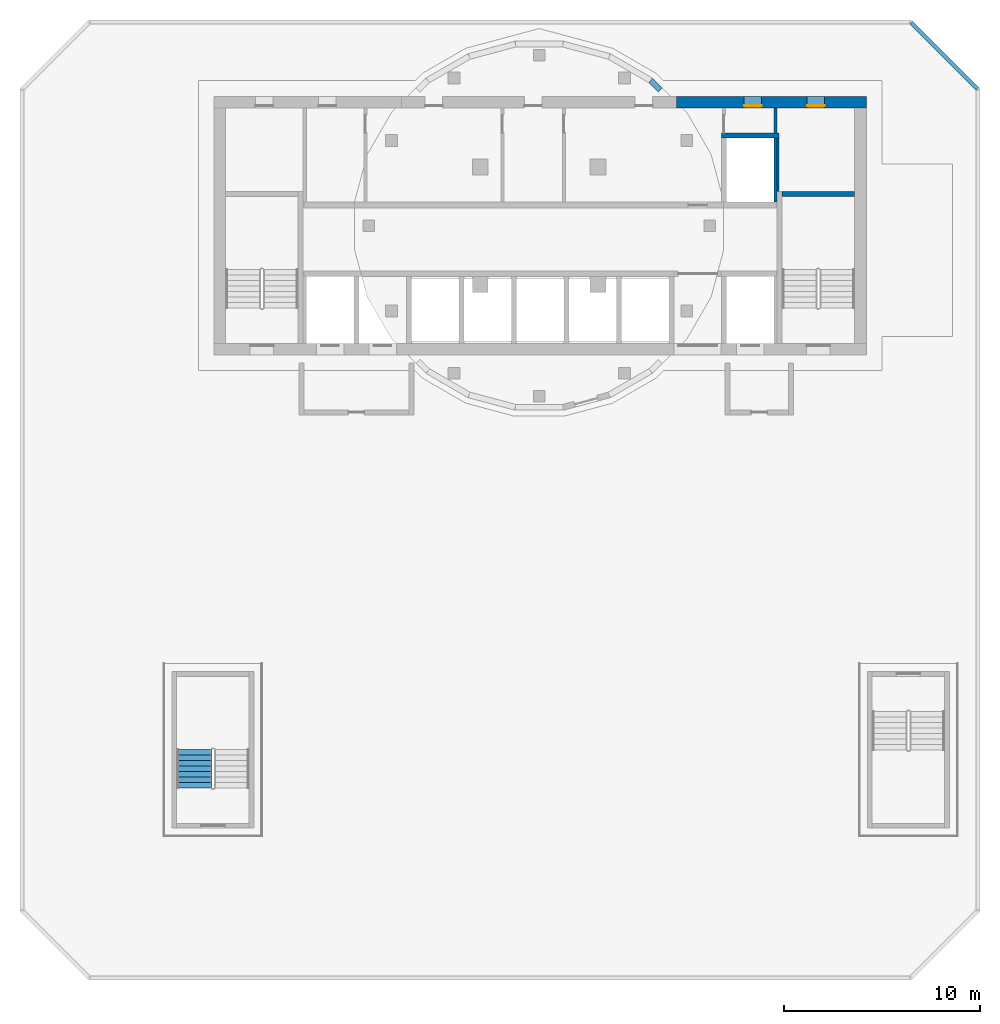
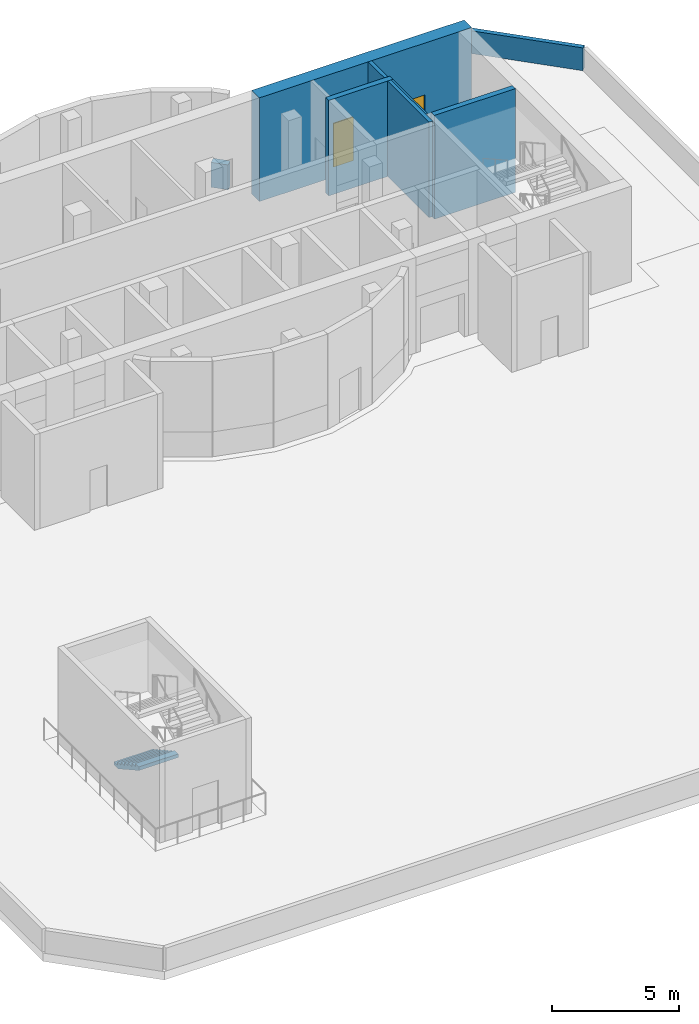
# One storey, part 4 of 7: 8 walls, 2 doors, 1 stair flight, 2 openings, 1 element without a shape of its own.
"""IFC4 building model written with IfcOpenShell, lengths in metres."""

from ifc_helpers import new_model, si_unit, direction, frame, frame_2d, origin, place, context, subcontext, project, spatial, rectangle, extrude, triangles, source, transform, mapped, material, layer, layer_set, type_object, element, fill, aggregate, save


model = new_model("IFC4")

# Units and contexts
model_context = context("Model", 3, precision=1e-05, world=origin(), true_north=direction((0.0, 1.0)))
body_context = subcontext(model_context, "Body", "Model", "MODEL_VIEW")
ifc_project = project(units=[si_unit("LENGTHUNIT", "METRE"), si_unit("AREAUNIT", "SQUARE_METRE"), si_unit("VOLUMEUNIT", "CUBIC_METRE"), si_unit("PLANEANGLEUNIT", "RADIAN"), si_unit("MASSUNIT", "GRAM", prefix="KILO")], contexts=[model_context])

# Site, building, storey
site_placement = place(None, origin())
site = spatial("IfcSite", under=ifc_project, at=site_placement, CompositionType="ELEMENT")
building_placement = place(site_placement, origin())
building = spatial("IfcBuilding", under=site, at=building_placement, Name="Kilnfold Tower and Market Hall", CompositionType="ELEMENT")
storey_placement = place(building_placement, frame((0.0, 0.0, 318.800048828125)))
storey = spatial("IfcBuildingStorey", under=building, at=storey_placement, Name="L80 Crown Plant", CompositionType="ELEMENT", Elevation=318.800048828125)

# Wall
ifc_material_1 = material(Name="Concrete C50", Category="concrete")
ifc_layer_1 = layer(ifc_material_1, 0.25)
ifc_layer_set_1 = layer_set([ifc_layer_1], Name="Concrete C50")
wall_type_1 = type_object("IfcWallType", Name="CORE WALL 250 C50", PredefinedType="SHEAR", material=ifc_layer_set_1)
shared_shape_1 = source(origin(), body_context, "Body", "SweptSolid", [
    extrude(rectangle(XDim=3.7001953125, YDim=0.25, at=frame_2d((1.85009765625, 0.0))), origin(), (0.0, 0.0, 1.0), 5.0),
])
wall_1_placement = place(storey_placement, frame((13.39990234375, 16.625, -0.400146484375), z_axis=(0.0, 0.0, 1.0), x_axis=(1.0, 0.0, 0.0)))
element("IfcWall", 1, at=wall_1_placement, inside=storey, type_object=wall_type_1, Name="Stair enclosure ST2", PredefinedType="SHEAR", context=body_context, shape_type="MappedRepresentation", body=[
    mapped(shared_shape_1, transform((0.0, 0.0, 0.0))),
])

# Wall, openings, doors
ifc_material_2 = material(Name="Concrete C50", Category="concrete")
ifc_layer_2 = layer(ifc_material_2, 0.60009765625)
ifc_layer_set_2 = layer_set([ifc_layer_2], Name="Concrete C50")
wall_type_2 = type_object("IfcWallType", Name="CORE WALL 600 C50", PredefinedType="SHEAR", material=ifc_layer_set_2)
shared_shape_2 = source(origin(), body_context, "Body", "SweptSolid", [
    extrude(rectangle(XDim=9.679931640625, YDim=0.60009765625, at=frame_2d((4.83984375, 0.0))), origin(), (0.0, 0.0, 1.0), 5.0),
])
wall_2_placement = place(storey_placement, frame((8.02001953125, 21.300048828125, -0.400146484375), z_axis=(0.0, 0.0, 1.0), x_axis=(1.0, 0.0, 0.0)))
wall_2 = element("IfcWall", 2, at=wall_2_placement, inside=storey, type_object=wall_type_2, Name="Core outer wall north", PredefinedType="SHEAR", context=body_context, shape_type="MappedRepresentation", body=[
    mapped(shared_shape_2, transform((0.0, 0.0, 0.0))),
])
opening_1_placement = place(wall_2_placement, frame((3.43994140625, 0.0, 0.39990234375)))
opening_1 = element("IfcOpeningElement", 3, at=opening_1_placement, cuts=wall_2, Name="Opening KD1", PredefinedType="OPENING", context=body_context, shape_type="SweptSolid", body=[
    extrude(rectangle(XDim=0.89990234375, YDim=2.10009765625, at=frame_2d((0.449951171875, 1.050048828125))), frame((0.0, 0.31005859375, 0.0), z_axis=(0.0, -1.0, 0.0), x_axis=(1.0, 0.0, 0.0)), (0.0, 0.0, 1.0), 0.6201171875),
])
opening_2_placement = place(wall_2_placement, frame((6.65478515625, 0.0, 0.39990234375)))
opening_2 = element("IfcOpeningElement", 4, at=opening_2_placement, cuts=wall_2, Name="Opening KD1", PredefinedType="OPENING", context=body_context, shape_type="SweptSolid", body=[
    extrude(rectangle(XDim=0.89990234375, YDim=2.10009765625, at=frame_2d((0.449951171875, 1.050048828125))), frame((0.0, 0.31005859375, 0.0), z_axis=(0.0, -1.0, 0.0), x_axis=(1.0, 0.0, 0.0)), (0.0, 0.0, 1.0), 0.6201171875),
])
ifc_material_3 = material(Name="Steel door set with fire-resisting leaf", Category="steel")
door_type = type_object("IfcDoorType", Name="SERVICE DOOR 900X2100", OperationType="NOTDEFINED", PredefinedType="DOOR", material=ifc_material_3)
door_1_placement = place(opening_1_placement, origin())
door_1 = element("IfcDoor", 5, at=door_1_placement, inside=storey, type_object=door_type, Name="Core service door", OperationType="SINGLE_SWING_RIGHT", OverallHeight=2.10009765625, OverallWidth=0.89990234375, PredefinedType="DOOR", context=body_context, shape_type="SweptSolid", body=[
    extrude(rectangle(XDim=0.89990234375, YDim=2.10009765625, at=frame_2d((0.449951171875, 1.050048828125))), frame((0.0, -0.15478515625, 0.0), z_axis=(0.0, -1.0, 0.0), x_axis=(1.0, 0.0, 0.0)), (0.0, 0.0, 1.0), 0.050048828125),
])
fill(opening_1, door_1)
door_2_placement = place(opening_2_placement, origin())
door_2 = element("IfcDoor", 6, at=door_2_placement, inside=storey, type_object=door_type, Name="Mechanical riser access door", OperationType="SINGLE_SWING_RIGHT", OverallHeight=2.10009765625, OverallWidth=0.89990234375, PredefinedType="DOOR", context=body_context, shape_type="SweptSolid", body=[
    extrude(rectangle(XDim=0.89990234375, YDim=2.10009765625, at=frame_2d((0.449951171875, 1.050048828125))), frame((0.0, -0.15478515625, 0.0), z_axis=(0.0, -1.0, 0.0), x_axis=(1.0, 0.0, 0.0)), (0.0, 0.0, 1.0), 0.050048828125),
])
fill(opening_2, door_2)

# Walls
ifc_material_4 = material(Name="Precast concrete C50/60", Category="concrete")
ifc_layer_3 = layer(ifc_material_4, 0.300048828125)
ifc_layer_set_3 = layer_set([ifc_layer_3], Name="Precast concrete C50/60")
wall_type_3 = type_object("IfcWallType", Name="PRECAST WALL 300", PredefinedType="SOLIDWALL", material=ifc_layer_set_3)
shared_shape_3 = source(origin(), body_context, "Body", "SweptSolid", [
    extrude(rectangle(XDim=0.697265625, YDim=0.300048828125, at=frame_2d((0.3486328125, 0.0))), origin(), (0.0, 0.0, 1.0), 1.199951171875),
])
wall_3_placement = place(storey_placement, frame((7.18408203125, 21.923828125, 0.0), z_axis=(0.0, 0.0, 1.0), x_axis=(-0.706931689754, 0.707281829274, 0.0)))
element("IfcWall", 7, at=wall_3_placement, inside=storey, type_object=wall_type_3, Name="Drum knee wall L80 10", PredefinedType="SOLIDWALL", context=body_context, shape_type="MappedRepresentation", body=[
    mapped(shared_shape_3, transform((0.0, 0.0, 0.0))),
])
ifc_material_5 = material(Name="Precast concrete C50/60", Category="concrete")
ifc_layer_4 = layer(ifc_material_5, 0.199951171875)
ifc_layer_set_4 = layer_set([ifc_layer_4], Name="Precast concrete C50/60")
wall_type_4 = type_object("IfcWallType", Name="PARAPET WALL 200", PredefinedType="PARAPET", material=ifc_layer_set_4)
shared_shape_4 = source(origin(), body_context, "Body", "SweptSolid", [
    extrude(rectangle(XDim=4.783935546875, YDim=0.199951171875, at=frame_2d((2.39208984375, 0.0))), origin(), (0.0, 0.0, 1.0), 1.099853515625),
])
wall_4_placement = place(storey_placement, frame((19.98779296875, 25.37060546875, 0.0), z_axis=(0.0, 0.0, 1.0), x_axis=(0.707106781187, -0.707106781187, 0.0)))
element("IfcWall", 8, at=wall_4_placement, inside=storey, type_object=wall_type_4, Name="Maintenance roof parapet 1.3", PredefinedType="PARAPET", context=body_context, shape_type="MappedRepresentation", body=[
    mapped(shared_shape_4, transform((0.0, 0.0, 0.0))),
])
ifc_material_6 = material(Name="Gypsum shaft wall system")
ifc_layer_5 = layer(ifc_material_6, 0.25)
ifc_layer_set_5 = layer_set([ifc_layer_5], Name="Gypsum shaft wall system")
wall_type_5 = type_object("IfcWallType", Name="SHAFT WALL 250", PredefinedType="PARTITIONING", material=ifc_layer_set_5)
shared_shape_5 = source(origin(), body_context, "Body", "SweptSolid", [
    extrude(rectangle(XDim=2.93017578125, YDim=0.25, at=frame_2d((1.465087890625, 0.0))), origin(), (0.0, 0.0, 1.0), 4.599853515625),
])
wall_5_placement = place(storey_placement, frame((10.304931640625, 19.60009765625, 0.0), z_axis=(0.0, 0.0, 1.0), x_axis=(1.0, 0.0, 0.0)))
element("IfcWall", 9, at=wall_5_placement, inside=storey, type_object=wall_type_5, Name="Lift shaft wall", PredefinedType="PARTITIONING", context=body_context, shape_type="MappedRepresentation", body=[
    mapped(shared_shape_5, transform((0.0, 0.0, 0.0))),
])
ifc_material_7 = material(Name="Gypsum shaft wall system")
ifc_layer_6 = layer(ifc_material_7, 0.1650390625)
ifc_layer_set_6 = layer_set([ifc_layer_6], Name="Gypsum shaft wall system")
wall_type_6 = type_object("IfcWallType", Name="SHAFT WALL 165", PredefinedType="PARTITIONING", material=ifc_layer_set_6)
shared_shape_6 = source(origin(), body_context, "Body", "SweptSolid", [
    extrude(rectangle(XDim=3.275146484375, YDim=0.1650390625, at=frame_2d((1.6376953125, 0.0))), origin(), (0.0, 0.0, 1.0), 4.599853515625),
])
wall_6_placement = place(storey_placement, frame((13.0673828125, 16.199951171875, 0.0), z_axis=(0.0, 0.0, 1.0), x_axis=(0.0, 1.0, 0.0)))
element("IfcWall", 10, at=wall_6_placement, inside=storey, type_object=wall_type_6, Name="Lift shaft wall", PredefinedType="PARTITIONING", context=body_context, shape_type="MappedRepresentation", body=[
    mapped(shared_shape_6, transform((0.0, 0.0, 0.0))),
])
shared_shape_7 = source(origin(), body_context, "Body", "SweptSolid", [
    extrude(rectangle(XDim=1.27490234375, YDim=0.1650390625, at=frame_2d((0.637451171875, 0.0))), origin(), (0.0, 0.0, 1.0), 4.599853515625),
])
wall_7_placement = place(storey_placement, frame((13.0673828125, 19.72509765625, 0.0), z_axis=(0.0, 0.0, 1.0), x_axis=(0.0, 1.0, 0.0)))
element("IfcWall", 11, at=wall_7_placement, inside=storey, type_object=wall_type_6, Name="Lift shaft wall", PredefinedType="PARTITIONING", context=body_context, shape_type="MappedRepresentation", body=[
    mapped(shared_shape_7, transform((0.0, 0.0, 0.0))),
])
ifc_material_8 = material(Name="Gypsum shaft wall system")
ifc_layer_7 = layer(ifc_material_8, 0.0849609375)
ifc_layer_set_7 = layer_set([ifc_layer_7], Name="Gypsum shaft wall system")
wall_type_7 = type_object("IfcWallType", Name="SHAFT WALL 85", PredefinedType="PARTITIONING", material=ifc_layer_set_7)
shared_shape_8 = source(origin(), body_context, "Body", "SweptSolid", [
    extrude(rectangle(XDim=2.72509765625, YDim=0.0849609375, at=frame_2d((1.362548828125, 0.0))), origin(), (0.0, 0.0, 1.0), 4.599853515625),
])
wall_8_placement = place(storey_placement, frame((13.1923828125, 16.75, 0.0), z_axis=(0.0, 0.0, 1.0), x_axis=(0.0, 1.0, 0.0)))
element("IfcWall", 12, at=wall_8_placement, inside=storey, type_object=wall_type_7, Name="Lift shaft wall", PredefinedType="PARTITIONING", context=body_context, shape_type="MappedRepresentation", body=[
    mapped(shared_shape_8, transform((0.0, 0.0, 0.0))),
])

# Stair, stair flight
ifc_material_9 = material(Name="Concrete C40/50", Category="concrete")
stair_type = type_object("IfcStairType", Name="CORE STAIR 1800", PredefinedType="HALF_TURN_STAIR", material=ifc_material_9)
stair_placement = place(storey_placement, origin())
stair = element("IfcStair", 13, at=stair_placement, inside=storey, type_object=stair_type, Name="L80 Crown Plant ST3", PredefinedType="HALF_TURN_STAIR")
ifc_material_10 = material(Name="Concrete C40/50", Category="concrete")
stair_flight_type = type_object("IfcStairFlightType", Name="CORE STAIR FLIGHT 1800", PredefinedType="STRAIGHT", material=ifc_material_10)
shared_shape_9 = source(origin(), body_context, "Body", "Tessellation", [
    triangles([(0.0, 0.89990234375, 0.0), (0.0, 0.78759765625, 0.0), (0.0, 0.675048828125, 0.0), (0.0, 0.5625, 0.0), (0.0, 0.449951171875, 0.0), (0.0, 0.33740234375, 0.0), (0.0, 0.22509765625, 0.0), (0.0, 0.112548828125, 0.0), (0.0, 0.0, 0.0), (0.0, -0.112548828125, 0.0), (0.0, -0.22509765625, 0.0), (0.0, -0.33740234375, 0.0), (0.0, -0.449951171875, 0.0), (0.0, -0.5625, 0.0), (0.0, -0.675048828125, 0.0), (0.0, -0.78759765625, 0.0), (0.0, -0.89990234375, 0.0), (0.0, 0.89990234375, 0.15625), (0.0, 0.78759765625, 0.15625), (0.0, 0.675048828125, 0.15625), (0.0, 0.5625, 0.15625), (0.0, 0.449951171875, 0.15625), (0.0, 0.33740234375, 0.15625), (0.0, 0.22509765625, 0.15625), (0.0, 0.112548828125, 0.15625), (0.0, 0.0, 0.15625), (0.0, -0.112548828125, 0.15625), (0.0, -0.22509765625, 0.15625), (0.0, -0.33740234375, 0.15625), (0.0, -0.449951171875, 0.15625), (0.0, -0.5625, 0.15625), (0.0, -0.675048828125, 0.15625), (0.0, -0.78759765625, 0.15625), (0.0, -0.89990234375, 0.15625), (0.280029296875, 0.89990234375, 0.15625), (0.280029296875, 0.78759765625, 0.15625), (0.280029296875, 0.675048828125, 0.15625), (0.280029296875, 0.5625, 0.15625), (0.280029296875, 0.449951171875, 0.15625), (0.280029296875, 0.33740234375, 0.15625), (0.280029296875, 0.22509765625, 0.15625), (0.280029296875, 0.112548828125, 0.15625), (0.280029296875, 0.0, 0.15625), (0.280029296875, -0.112548828125, 0.15625), (0.280029296875, -0.22509765625, 0.15625), (0.280029296875, -0.33740234375, 0.15625), (0.280029296875, -0.449951171875, 0.15625), (0.280029296875, -0.5625, 0.15625), (0.280029296875, -0.675048828125, 0.15625), (0.280029296875, -0.78759765625, 0.15625), (0.280029296875, -0.89990234375, 0.15625), (0.280029296875, 0.89990234375, 0.3125), (0.280029296875, 0.78759765625, 0.3125), (0.280029296875, 0.675048828125, 0.3125), (0.280029296875, 0.5625, 0.3125), (0.280029296875, 0.449951171875, 0.3125), (0.280029296875, 0.33740234375, 0.3125), (0.280029296875, 0.22509765625, 0.3125), (0.280029296875, 0.112548828125, 0.3125), (0.280029296875, 0.0, 0.3125), (0.280029296875, -0.112548828125, 0.3125), (0.280029296875, -0.22509765625, 0.3125), (0.280029296875, -0.33740234375, 0.3125), (0.280029296875, -0.449951171875, 0.3125), (0.280029296875, -0.5625, 0.3125), (0.280029296875, -0.675048828125, 0.3125), (0.280029296875, -0.78759765625, 0.3125), (0.280029296875, -0.89990234375, 0.3125), (0.56005859375, 0.89990234375, 0.3125), (0.56005859375, 0.78759765625, 0.3125), (0.56005859375, 0.675048828125, 0.3125), (0.56005859375, 0.5625, 0.3125), (0.56005859375, 0.449951171875, 0.3125), (0.56005859375, 0.33740234375, 0.3125), (0.56005859375, 0.22509765625, 0.3125), (0.56005859375, 0.112548828125, 0.3125), (0.56005859375, 0.0, 0.3125), (0.56005859375, -0.112548828125, 0.3125), (0.56005859375, -0.22509765625, 0.3125), (0.56005859375, -0.33740234375, 0.3125), (0.56005859375, -0.449951171875, 0.3125), (0.56005859375, -0.5625, 0.3125), (0.56005859375, -0.675048828125, 0.3125), (0.56005859375, -0.78759765625, 0.3125), (0.56005859375, -0.89990234375, 0.3125), (0.56005859375, 0.89990234375, 0.46875), (0.56005859375, 0.78759765625, 0.46875), (0.56005859375, 0.675048828125, 0.46875), (0.56005859375, 0.5625, 0.46875), (0.56005859375, 0.449951171875, 0.46875), (0.56005859375, 0.33740234375, 0.46875), (0.56005859375, 0.22509765625, 0.46875), (0.56005859375, 0.112548828125, 0.46875), (0.56005859375, 0.0, 0.46875), (0.56005859375, -0.112548828125, 0.46875), (0.56005859375, -0.22509765625, 0.46875), (0.56005859375, -0.33740234375, 0.46875), (0.56005859375, -0.449951171875, 0.46875), (0.56005859375, -0.5625, 0.46875), (0.56005859375, -0.675048828125, 0.46875), (0.56005859375, -0.78759765625, 0.46875), (0.56005859375, -0.89990234375, 0.46875), (0.840087890625, 0.89990234375, 0.46875), (0.840087890625, 0.78759765625, 0.46875), (0.840087890625, 0.675048828125, 0.46875), (0.840087890625, 0.5625, 0.46875), (0.840087890625, 0.449951171875, 0.46875), (0.840087890625, 0.33740234375, 0.46875), (0.840087890625, 0.22509765625, 0.46875), (0.840087890625, 0.112548828125, 0.46875), (0.840087890625, 0.0, 0.46875), (0.840087890625, -0.112548828125, 0.46875), (0.840087890625, -0.22509765625, 0.46875), (0.840087890625, -0.33740234375, 0.46875), (0.840087890625, -0.449951171875, 0.46875), (0.840087890625, -0.5625, 0.46875), (0.840087890625, -0.675048828125, 0.46875), (0.840087890625, -0.78759765625, 0.46875), (0.840087890625, -0.89990234375, 0.46875), (0.840087890625, 0.89990234375, 0.625), (0.840087890625, 0.78759765625, 0.625), (0.840087890625, 0.675048828125, 0.625), (0.840087890625, 0.5625, 0.625), (0.840087890625, 0.449951171875, 0.625), (0.840087890625, 0.33740234375, 0.625), (0.840087890625, 0.22509765625, 0.625), (0.840087890625, 0.112548828125, 0.625), (0.840087890625, 0.0, 0.625), (0.840087890625, -0.112548828125, 0.625), (0.840087890625, -0.22509765625, 0.625), (0.840087890625, -0.33740234375, 0.625), (0.840087890625, -0.449951171875, 0.625), (0.840087890625, -0.5625, 0.625), (0.840087890625, -0.675048828125, 0.625), (0.840087890625, -0.78759765625, 0.625), (0.840087890625, -0.89990234375, 0.625), (1.1201171875, 0.89990234375, 0.625), (1.1201171875, 0.78759765625, 0.625), (1.1201171875, 0.675048828125, 0.625), (1.1201171875, 0.5625, 0.625), (1.1201171875, 0.449951171875, 0.625), (1.1201171875, 0.33740234375, 0.625), (1.1201171875, 0.22509765625, 0.625), (1.1201171875, 0.112548828125, 0.625), (1.1201171875, 0.0, 0.625), (1.1201171875, -0.112548828125, 0.625), (1.1201171875, -0.22509765625, 0.625), (1.1201171875, -0.33740234375, 0.625), (1.1201171875, -0.449951171875, 0.625), (1.1201171875, -0.5625, 0.625), (1.1201171875, -0.675048828125, 0.625), (1.1201171875, -0.78759765625, 0.625), (1.1201171875, -0.89990234375, 0.625), (1.1201171875, 0.89990234375, 0.78125), (1.1201171875, 0.78759765625, 0.78125), (1.1201171875, 0.675048828125, 0.78125), (1.1201171875, 0.5625, 0.78125), (1.1201171875, 0.449951171875, 0.78125), (1.1201171875, 0.33740234375, 0.78125), (1.1201171875, 0.22509765625, 0.78125), (1.1201171875, 0.112548828125, 0.78125), (1.1201171875, 0.0, 0.78125), (1.1201171875, -0.112548828125, 0.78125), (1.1201171875, -0.22509765625, 0.78125), (1.1201171875, -0.33740234375, 0.78125), (1.1201171875, -0.449951171875, 0.78125), (1.1201171875, -0.5625, 0.78125), (1.1201171875, -0.675048828125, 0.78125), (1.1201171875, -0.78759765625, 0.78125), (1.1201171875, -0.89990234375, 0.78125), (1.39990234375, 0.89990234375, 0.78125), (1.39990234375, 0.78759765625, 0.78125), (1.39990234375, 0.675048828125, 0.78125), (1.39990234375, 0.5625, 0.78125), (1.39990234375, 0.449951171875, 0.78125), (1.39990234375, 0.33740234375, 0.78125), (1.39990234375, 0.22509765625, 0.78125), (1.39990234375, 0.112548828125, 0.78125), (1.39990234375, 0.0, 0.78125), (1.39990234375, -0.112548828125, 0.78125), (1.39990234375, -0.22509765625, 0.78125), (1.39990234375, -0.33740234375, 0.78125), (1.39990234375, -0.449951171875, 0.78125), (1.39990234375, -0.5625, 0.78125), (1.39990234375, -0.675048828125, 0.78125), (1.39990234375, -0.78759765625, 0.78125), (1.39990234375, -0.89990234375, 0.78125), (1.39990234375, 0.89990234375, 0.9375), (1.39990234375, 0.78759765625, 0.9375), (1.39990234375, 0.675048828125, 0.9375), (1.39990234375, 0.5625, 0.9375), (1.39990234375, 0.449951171875, 0.9375), (1.39990234375, 0.33740234375, 0.9375), (1.39990234375, 0.22509765625, 0.9375), (1.39990234375, 0.112548828125, 0.9375), (1.39990234375, 0.0, 0.9375), (1.39990234375, -0.112548828125, 0.9375), (1.39990234375, -0.22509765625, 0.9375), (1.39990234375, -0.33740234375, 0.9375), (1.39990234375, -0.449951171875, 0.9375), (1.39990234375, -0.5625, 0.9375), (1.39990234375, -0.675048828125, 0.9375), (1.39990234375, -0.78759765625, 0.9375), (1.39990234375, -0.89990234375, 0.9375), (1.679931640625, 0.89990234375, 0.9375), (1.679931640625, 0.78759765625, 0.9375), (1.679931640625, 0.675048828125, 0.9375), (1.679931640625, 0.5625, 0.9375), (1.679931640625, 0.449951171875, 0.9375), (1.679931640625, 0.33740234375, 0.9375), (1.679931640625, 0.22509765625, 0.9375), (1.679931640625, 0.112548828125, 0.9375), (1.679931640625, 0.0, 0.9375), (1.679931640625, -0.112548828125, 0.9375), (1.679931640625, -0.22509765625, 0.9375), (1.679931640625, -0.33740234375, 0.9375), (1.679931640625, -0.449951171875, 0.9375), (1.679931640625, -0.5625, 0.9375), (1.679931640625, -0.675048828125, 0.9375), (1.679931640625, -0.78759765625, 0.9375), (1.679931640625, -0.89990234375, 0.9375), (1.679931640625, 0.89990234375, 1.09375), (1.679931640625, 0.78759765625, 1.09375), (1.679931640625, 0.675048828125, 1.09375), (1.679931640625, 0.5625, 1.09375), (1.679931640625, 0.449951171875, 1.09375), (1.679931640625, 0.33740234375, 1.09375), (1.679931640625, 0.22509765625, 1.09375), (1.679931640625, 0.112548828125, 1.09375), (1.679931640625, 0.0, 1.09375), (1.679931640625, -0.112548828125, 1.09375), (1.679931640625, -0.22509765625, 1.09375), (1.679931640625, -0.33740234375, 1.09375), (1.679931640625, -0.449951171875, 1.09375), (1.679931640625, -0.5625, 1.09375), (1.679931640625, -0.675048828125, 1.09375), (1.679931640625, -0.78759765625, 1.09375), (1.679931640625, -0.89990234375, 1.09375), (1.9599609375, 0.89990234375, 1.09375), (1.9599609375, 0.78759765625, 1.09375), (1.9599609375, 0.675048828125, 1.09375), (1.9599609375, 0.5625, 1.09375), (1.9599609375, 0.449951171875, 1.09375), (1.9599609375, 0.33740234375, 1.09375), (1.9599609375, 0.22509765625, 1.09375), (1.9599609375, 0.112548828125, 1.09375), (1.9599609375, 0.0, 1.09375), (1.9599609375, -0.112548828125, 1.09375), (1.9599609375, -0.22509765625, 1.09375), (1.9599609375, -0.33740234375, 1.09375), (1.9599609375, -0.449951171875, 1.09375), (1.9599609375, -0.5625, 1.09375), (1.9599609375, -0.675048828125, 1.09375), (1.9599609375, -0.78759765625, 1.09375), (1.9599609375, -0.89990234375, 1.09375), (1.9599609375, 0.89990234375, 0.922119140625), (1.9599609375, 0.78759765625, 0.922119140625), (1.9599609375, 0.675048828125, 0.922119140625), (1.9599609375, 0.5625, 0.922119140625), (1.9599609375, 0.449951171875, 0.922119140625), (1.9599609375, 0.33740234375, 0.922119140625), (1.9599609375, 0.22509765625, 0.922119140625), (1.9599609375, 0.112548828125, 0.922119140625), (1.9599609375, 0.0, 0.922119140625), (1.9599609375, -0.112548828125, 0.922119140625), (1.9599609375, -0.22509765625, 0.922119140625), (1.9599609375, -0.33740234375, 0.922119140625), (1.9599609375, -0.449951171875, 0.922119140625), (1.9599609375, -0.5625, 0.922119140625), (1.9599609375, -0.675048828125, 0.922119140625), (1.9599609375, -0.78759765625, 0.922119140625), (1.9599609375, -0.89990234375, 0.922119140625), (0.3076171875, 0.89990234375, 0.0), (0.3076171875, 0.78759765625, 0.0), (0.3076171875, 0.675048828125, 0.0), (0.3076171875, 0.5625, 0.0), (0.3076171875, 0.449951171875, 0.0), (0.3076171875, 0.33740234375, 0.0), (0.3076171875, 0.22509765625, 0.0), (0.3076171875, 0.112548828125, 0.0), (0.3076171875, 0.0, 0.0), (0.3076171875, -0.112548828125, 0.0), (0.3076171875, -0.22509765625, 0.0), (0.3076171875, -0.33740234375, 0.0), (0.3076171875, -0.449951171875, 0.0), (0.3076171875, -0.5625, 0.0), (0.3076171875, -0.675048828125, 0.0), (0.3076171875, -0.78759765625, 0.0), (0.3076171875, -0.89990234375, 0.0)], [[1, 256, 273], [17, 289, 272], [256, 222, 239], [272, 255, 238], [256, 205, 222], [272, 238, 221], [256, 188, 205], [272, 221, 204], [256, 171, 188], [272, 204, 187], [171, 137, 154], [187, 170, 153], [256, 137, 171], [272, 187, 153], [137, 103, 120], [153, 136, 119], [256, 103, 137], [272, 153, 119], [103, 69, 86], [119, 102, 85], [256, 69, 103], [272, 119, 85], [69, 35, 52], [85, 68, 51], [256, 35, 69], [272, 85, 51], [1, 35, 256], [17, 272, 51], [35, 1, 18], [51, 34, 17], [1, 19, 18], [1, 2, 19], [2, 20, 19], [2, 3, 20], [3, 21, 20], [3, 4, 21], [4, 22, 21], [4, 5, 22], [5, 23, 22], [5, 6, 23], [6, 24, 23], [6, 7, 24], [7, 25, 24], [7, 8, 25], [8, 26, 25], [8, 9, 26], [9, 27, 26], [9, 10, 27], [10, 28, 27], [10, 11, 28], [11, 29, 28], [11, 12, 29], [12, 30, 29], [12, 13, 30], [13, 31, 30], [13, 14, 31], [14, 32, 31], [14, 15, 32], [15, 33, 32], [15, 16, 33], [16, 34, 33], [16, 17, 34], [18, 36, 35], [18, 19, 36], [19, 37, 36], [19, 20, 37], [20, 38, 37], [20, 21, 38], [21, 39, 38], [21, 22, 39], [22, 40, 39], [22, 23, 40], [23, 41, 40], [23, 24, 41], [24, 42, 41], [24, 25, 42], [25, 43, 42], [25, 26, 43], [26, 44, 43], [26, 27, 44], [27, 45, 44], [27, 28, 45], [28, 46, 45], [28, 29, 46], [29, 47, 46], [29, 30, 47], [30, 48, 47], [30, 31, 48], [31, 49, 48], [31, 32, 49], [32, 50, 49], [32, 33, 50], [33, 51, 50], [33, 34, 51], [35, 53, 52], [35, 36, 53], [36, 54, 53], [36, 37, 54], [37, 55, 54], [37, 38, 55], [38, 56, 55], [38, 39, 56], [39, 57, 56], [39, 40, 57], [40, 58, 57], [40, 41, 58], [41, 59, 58], [41, 42, 59], [42, 60, 59], [42, 43, 60], [43, 61, 60], [43, 44, 61], [44, 62, 61], [44, 45, 62], [45, 63, 62], [45, 46, 63], [46, 64, 63], [46, 47, 64], [47, 65, 64], [47, 48, 65], [48, 66, 65], [48, 49, 66], [49, 67, 66], [49, 50, 67], [50, 68, 67], [50, 51, 68], [52, 70, 69], [52, 53, 70], [53, 71, 70], [53, 54, 71], [54, 72, 71], [54, 55, 72], [55, 73, 72], [55, 56, 73], [56, 74, 73], [56, 57, 74], [57, 75, 74], [57, 58, 75], [58, 76, 75], [58, 59, 76], [59, 77, 76], [59, 60, 77], [60, 78, 77], [60, 61, 78], [61, 79, 78], [61, 62, 79], [62, 80, 79], [62, 63, 80], [63, 81, 80], [63, 64, 81], [64, 82, 81], [64, 65, 82], [65, 83, 82], [65, 66, 83], [66, 84, 83], [66, 67, 84], [67, 85, 84], [67, 68, 85], [69, 87, 86], [69, 70, 87], [70, 88, 87], [70, 71, 88], [71, 89, 88], [71, 72, 89], [72, 90, 89], [72, 73, 90], [73, 91, 90], [73, 74, 91], [74, 92, 91], [74, 75, 92], [75, 93, 92], [75, 76, 93], [76, 94, 93], [76, 77, 94], [77, 95, 94], [77, 78, 95], [78, 96, 95], [78, 79, 96], [79, 97, 96], [79, 80, 97], [80, 98, 97], [80, 81, 98], [81, 99, 98], [81, 82, 99], [82, 100, 99], [82, 83, 100], [83, 101, 100], [83, 84, 101], [84, 102, 101], [84, 85, 102], [86, 104, 103], [86, 87, 104], [87, 105, 104], [87, 88, 105], [88, 106, 105], [88, 89, 106], [89, 107, 106], [89, 90, 107], [90, 108, 107], [90, 91, 108], [91, 109, 108], [91, 92, 109], [92, 110, 109], [92, 93, 110], [93, 111, 110], [93, 94, 111], [94, 112, 111], [94, 95, 112], [95, 113, 112], [95, 96, 113], [96, 114, 113], [96, 97, 114], [97, 115, 114], [97, 98, 115], [98, 116, 115], [98, 99, 116], [99, 117, 116], [99, 100, 117], [100, 118, 117], [100, 101, 118], [101, 119, 118], [101, 102, 119], [103, 121, 120], [103, 104, 121], [104, 122, 121], [104, 105, 122], [105, 123, 122], [105, 106, 123], [106, 124, 123], [106, 107, 124], [107, 125, 124], [107, 108, 125], [108, 126, 125], [108, 109, 126], [109, 127, 126], [109, 110, 127], [110, 128, 127], [110, 111, 128], [111, 129, 128], [111, 112, 129], [112, 130, 129], [112, 113, 130], [113, 131, 130], [113, 114, 131], [114, 132, 131], [114, 115, 132], [115, 133, 132], [115, 116, 133], [116, 134, 133], [116, 117, 134], [117, 135, 134], [117, 118, 135], [118, 136, 135], [118, 119, 136], [120, 138, 137], [120, 121, 138], [121, 139, 138], [121, 122, 139], [122, 140, 139], [122, 123, 140], [123, 141, 140], [123, 124, 141], [124, 142, 141], [124, 125, 142], [125, 143, 142], [125, 126, 143], [126, 144, 143], [126, 127, 144], [127, 145, 144], [127, 128, 145], [128, 146, 145], [128, 129, 146], [129, 147, 146], [129, 130, 147], [130, 148, 147], [130, 131, 148], [131, 149, 148], [131, 132, 149], [132, 150, 149], [132, 133, 150], [133, 151, 150], [133, 134, 151], [134, 152, 151], [134, 135, 152], [135, 153, 152], [135, 136, 153], [137, 155, 154], [137, 138, 155], [138, 156, 155], [138, 139, 156], [139, 157, 156], [139, 140, 157], [140, 158, 157], [140, 141, 158], [141, 159, 158], [141, 142, 159], [142, 160, 159], [142, 143, 160], [143, 161, 160], [143, 144, 161], [144, 162, 161], [144, 145, 162], [145, 163, 162], [145, 146, 163], [146, 164, 163], [146, 147, 164], [147, 165, 164], [147, 148, 165], [148, 166, 165], [148, 149, 166], [149, 167, 166], [149, 150, 167], [150, 168, 167], [150, 151, 168], [151, 169, 168], [151, 152, 169], [152, 170, 169], [152, 153, 170], [154, 172, 171], [154, 155, 172], [155, 173, 172], [155, 156, 173], [156, 174, 173], [156, 157, 174], [157, 175, 174], [157, 158, 175], [158, 176, 175], [158, 159, 176], [159, 177, 176], [159, 160, 177], [160, 178, 177], [160, 161, 178], [161, 179, 178], [161, 162, 179], [162, 180, 179], [162, 163, 180], [163, 181, 180], [163, 164, 181], [164, 182, 181], [164, 165, 182], [165, 183, 182], [165, 166, 183], [166, 184, 183], [166, 167, 184], [167, 185, 184], [167, 168, 185], [168, 186, 185], [168, 169, 186], [169, 187, 186], [169, 170, 187], [171, 189, 188], [171, 172, 189], [172, 190, 189], [172, 173, 190], [173, 191, 190], [173, 174, 191], [174, 192, 191], [174, 175, 192], [175, 193, 192], [175, 176, 193], [176, 194, 193], [176, 177, 194], [177, 195, 194], [177, 178, 195], [178, 196, 195], [178, 179, 196], [179, 197, 196], [179, 180, 197], [180, 198, 197], [180, 181, 198], [181, 199, 198], [181, 182, 199], [182, 200, 199], [182, 183, 200], [183, 201, 200], [183, 184, 201], [184, 202, 201], [184, 185, 202], [185, 203, 202], [185, 186, 203], [186, 204, 203], [186, 187, 204], [188, 206, 205], [188, 189, 206], [189, 207, 206], [189, 190, 207], [190, 208, 207], [190, 191, 208], [191, 209, 208], [191, 192, 209], [192, 210, 209], [192, 193, 210], [193, 211, 210], [193, 194, 211], [194, 212, 211], [194, 195, 212], [195, 213, 212], [195, 196, 213], [196, 214, 213], [196, 197, 214], [197, 215, 214], [197, 198, 215], [198, 216, 215], [198, 199, 216], [199, 217, 216], [199, 200, 217], [200, 218, 217], [200, 201, 218], [201, 219, 218], [201, 202, 219], [202, 220, 219], [202, 203, 220], [203, 221, 220], [203, 204, 221], [205, 223, 222], [205, 206, 223], [206, 224, 223], [206, 207, 224], [207, 225, 224], [207, 208, 225], [208, 226, 225], [208, 209, 226], [209, 227, 226], [209, 210, 227], [210, 228, 227], [210, 211, 228], [211, 229, 228], [211, 212, 229], [212, 230, 229], [212, 213, 230], [213, 231, 230], [213, 214, 231], [214, 232, 231], [214, 215, 232], [215, 233, 232], [215, 216, 233], [216, 234, 233], [216, 217, 234], [217, 235, 234], [217, 218, 235], [218, 236, 235], [218, 219, 236], [219, 237, 236], [219, 220, 237], [220, 238, 237], [220, 221, 238], [222, 240, 239], [222, 223, 240], [223, 241, 240], [223, 224, 241], [224, 242, 241], [224, 225, 242], [225, 243, 242], [225, 226, 243], [226, 244, 243], [226, 227, 244], [227, 245, 244], [227, 228, 245], [228, 246, 245], [228, 229, 246], [229, 247, 246], [229, 230, 247], [230, 248, 247], [230, 231, 248], [231, 249, 248], [231, 232, 249], [232, 250, 249], [232, 233, 250], [233, 251, 250], [233, 234, 251], [234, 252, 251], [234, 235, 252], [235, 253, 252], [235, 236, 253], [236, 254, 253], [236, 237, 254], [237, 255, 254], [237, 238, 255], [239, 257, 256], [239, 240, 257], [240, 258, 257], [240, 241, 258], [241, 259, 258], [241, 242, 259], [242, 260, 259], [242, 243, 260], [243, 261, 260], [243, 244, 261], [244, 262, 261], [244, 245, 262], [245, 263, 262], [245, 246, 263], [246, 264, 263], [246, 247, 264], [247, 265, 264], [247, 248, 265], [248, 266, 265], [248, 249, 266], [249, 267, 266], [249, 250, 267], [250, 268, 267], [250, 251, 268], [251, 269, 268], [251, 252, 269], [252, 270, 269], [252, 253, 270], [253, 271, 270], [253, 254, 271], [254, 272, 271], [254, 255, 272], [256, 274, 273], [256, 257, 274], [257, 275, 274], [257, 258, 275], [258, 276, 275], [258, 259, 276], [259, 277, 276], [259, 260, 277], [260, 278, 277], [260, 261, 278], [261, 279, 278], [261, 262, 279], [262, 280, 279], [262, 263, 280], [263, 281, 280], [263, 264, 281], [264, 282, 281], [264, 265, 282], [265, 283, 282], [265, 266, 283], [266, 284, 283], [266, 267, 284], [267, 285, 284], [267, 268, 285], [268, 286, 285], [268, 269, 286], [269, 287, 286], [269, 270, 287], [270, 288, 287], [270, 271, 288], [271, 289, 288], [271, 272, 289], [273, 2, 1], [273, 274, 2], [274, 3, 2], [274, 275, 3], [275, 4, 3], [275, 276, 4], [276, 5, 4], [276, 277, 5], [277, 6, 5], [277, 278, 6], [278, 7, 6], [278, 279, 7], [279, 8, 7], [279, 280, 8], [280, 9, 8], [280, 281, 9], [281, 10, 9], [281, 282, 10], [282, 11, 10], [282, 283, 11], [283, 12, 11], [283, 284, 12], [284, 13, 12], [284, 285, 13], [285, 14, 13], [285, 286, 14], [286, 15, 14], [286, 287, 15], [287, 16, 15], [287, 288, 16], [288, 17, 16], [288, 289, 17]], closed=True),
])
stair_flight_placement = place(storey_placement, frame((-16.60009765625, -11.739990234375, 1.25), z_axis=(0.0, 0.0, 1.0), x_axis=(0.0, -1.0, 0.0)))
stair_flight = element("IfcStairFlight", 14, at=stair_flight_placement, type_object=stair_flight_type, Name="ST3 flight 2", NumberOfRisers=8, NumberOfTreads=7, PredefinedType="STRAIGHT", RiserHeight=0.15625, TreadLength=0.28, context=body_context, shape_type="MappedRepresentation", body=[
    mapped(shared_shape_9, transform((0.0, 0.0, 0.0))),
])
aggregate(stair, [stair_flight])

save(model, "model.ifc")
